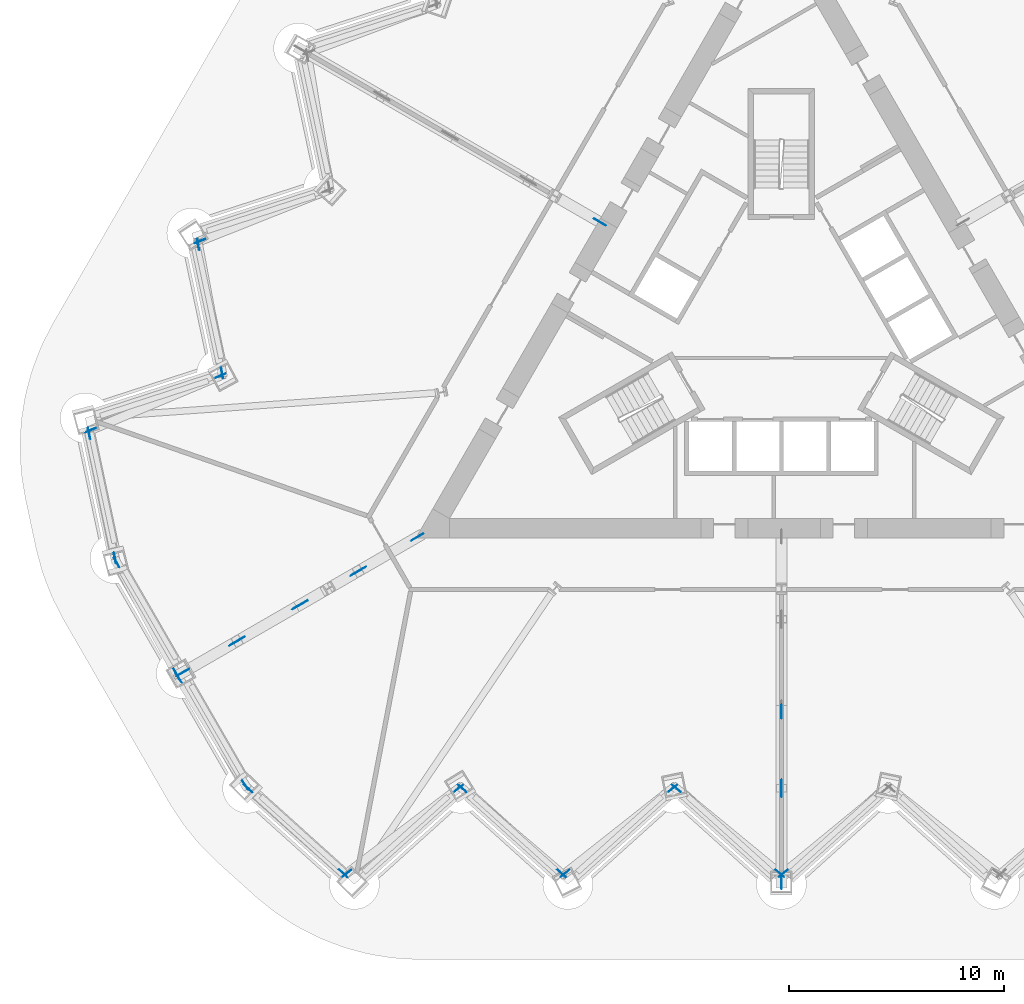
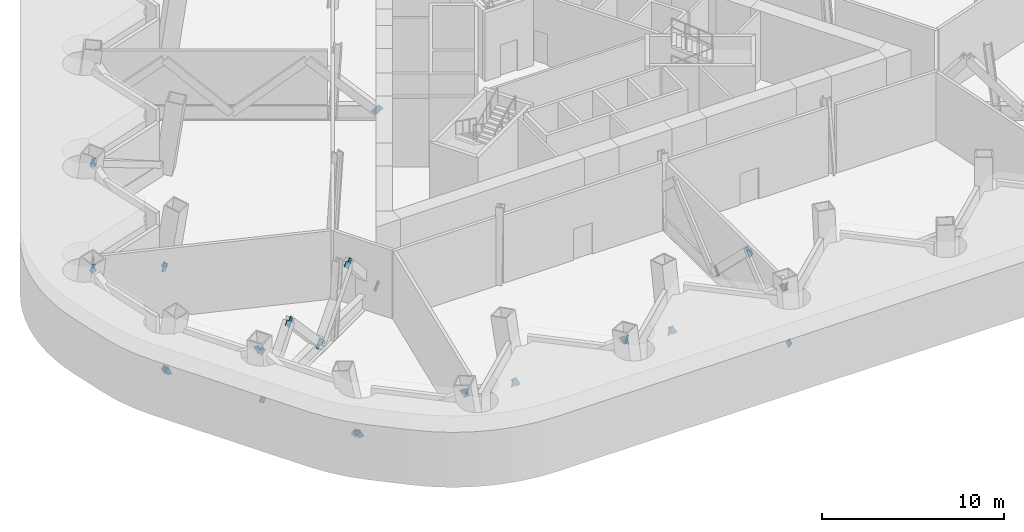
# One storey, part 8 of 14: 35 discrete accessories.
"""IFC4 building model written with IfcOpenShell, lengths in metres."""

from ifc_helpers import new_model, si_unit, direction, frame, origin, origin_2d, place, context, subcontext, project, spatial, rectangle, extrude, material, material_profile, profile_set, type_object, element, save


model = new_model("IFC4")

# Units and contexts
model_context = context("Model", 3, precision=1e-05, world=origin(), true_north=direction((0.0, 1.0)))
body_context = subcontext(model_context, "Body", "Model", "MODEL_VIEW")
ifc_project = project(units=[si_unit("LENGTHUNIT", "METRE"), si_unit("AREAUNIT", "SQUARE_METRE"), si_unit("VOLUMEUNIT", "CUBIC_METRE"), si_unit("PLANEANGLEUNIT", "RADIAN"), si_unit("MASSUNIT", "GRAM", prefix="KILO")], contexts=[model_context])

# Site, building, storey
site_placement = place(None, origin())
site = spatial("IfcSite", under=ifc_project, at=site_placement, CompositionType="ELEMENT")
building_placement = place(site_placement, origin())
building = spatial("IfcBuilding", under=site, at=building_placement, Name="Cormorant Prow Tower", CompositionType="ELEMENT")
storey_placement = place(building_placement, frame((0.0, 0.0, 94.60009765625)))
storey = spatial("IfcBuildingStorey", under=building, at=storey_placement, Name="L19", CompositionType="ELEMENT", Elevation=94.60009765625)

# Discrete accessories
ifc_material_1 = material(Name="Structural steel ASTM A500 Gr C", Category="steel")
ifc_material_profile_1 = material_profile(ifc_material_1, rectangle(XDim=0.031982421875, YDim=0.506103515625, at=origin_2d()), Name="Gusset plate 32x506")
ifc_profile_set_1 = profile_set([ifc_material_profile_1], Name="Structural steel ASTM A500 Gr C")
discrete_accessory_type_1 = type_object("IfcDiscreteAccessoryType", Name="Gusset plate 32x506", PredefinedType="BRACKET", material=ifc_profile_set_1)
discrete_accessory_1_placement = place(storey_placement, frame((-24.698974609375, -21.572265625, 0.604736328125), z_axis=(-0.638862145068, 0.570512264919, -0.516111339902), x_axis=(-0.666080493051, -0.745879867524, 0.0)))
element("IfcDiscreteAccessory", 1, at=discrete_accessory_1_placement, inside=storey, type_object=discrete_accessory_type_1, Name="Gusset plate GP2 L19.S00.g0", PredefinedType="BRACKET", context=body_context, shape_type="SweptSolid", body=[
    extrude(rectangle(XDim=0.031982421875, YDim=0.506103515625, at=origin_2d()), origin(), (0.0, 0.0, 1.0), 0.35009765625),
])
discrete_accessory_2_placement = place(storey_placement, frame((-20.50048828125, -25.318603515625, 3.9951171875), z_axis=(0.639116346169, -0.570041544563, 0.51631669887), x_axis=(0.665627110774, 0.74628449629, 0.0)))
element("IfcDiscreteAccessory", 2, at=discrete_accessory_2_placement, inside=storey, type_object=discrete_accessory_type_1, Name="Gusset plate GP2 L19.S00.g1", PredefinedType="BRACKET", context=body_context, shape_type="SweptSolid", body=[
    extrude(rectangle(XDim=0.031982421875, YDim=0.506103515625, at=origin_2d()), origin(), (0.0, 0.0, 1.0), 0.349853515625),
])
discrete_accessory_3_placement = place(storey_placement, frame((-15.143798828125, -21.560546875, 0.593994140625), z_axis=(0.69787605641, 0.53125030468, -0.48035624662), x_axis=(-0.605707869726, 0.795687109706, 0.0)))
element("IfcDiscreteAccessory", 3, at=discrete_accessory_3_placement, inside=storey, type_object=discrete_accessory_type_1, Name="Gusset plate GP2 L19.S01.g0", PredefinedType="BRACKET", context=body_context, shape_type="SweptSolid", body=[
    extrude(rectangle(XDim=0.031982421875, YDim=0.506103515625, at=origin_2d()), origin(), (0.0, 0.0, 1.0), 0.35009765625),
])
discrete_accessory_4_placement = place(storey_placement, frame((-20.099365234375, -25.330322265625, 4.005859375), z_axis=(-0.698010764156, -0.531186191523, 0.480231405739), x_axis=(0.605587569691, -0.795778672393, 0.0)))
element("IfcDiscreteAccessory", 4, at=discrete_accessory_4_placement, inside=storey, type_object=discrete_accessory_type_1, Name="Gusset plate GP2 L19.S01.g1", PredefinedType="BRACKET", context=body_context, shape_type="SweptSolid", body=[
    extrude(rectangle(XDim=0.031982421875, YDim=0.506103515625, at=origin_2d()), origin(), (0.0, 0.0, 1.0), 0.349853515625),
])
for number, where, z_axis, x_axis, name in (
    (5, (-14.73779296875, -21.5693359375, 0.60205078125), (-0.654762363938, 0.560627199794, -0.506935291356), (-0.650391569401, -0.759599109039, 0.0), "Gusset plate GP2 L19.S02.g0"),
    (6, (-10.350830078125, -25.321533203125, 3.997802734375), (0.655018317052, -0.560148784444, 0.507133457398), (0.649924447193, 0.759998824302, 0.0), "Gusset plate GP2 L19.S02.g1"),
):
    element("IfcDiscreteAccessory", number, at=place(storey_placement, frame(where, z_axis=z_axis, x_axis=x_axis)), inside=storey, type_object=discrete_accessory_type_1, Name=name, PredefinedType="BRACKET", context=body_context, shape_type="SweptSolid", body=[
        extrude(rectangle(XDim=0.031982421875, YDim=0.506103515625, at=origin_2d()), origin(), (0.0, 0.0, 1.0), 0.35009765625),
    ])
for number, where, z_axis, x_axis, name in (
    (7, (-5.183349609375, -21.563232421875, 0.5966796875), (0.684428173387, 0.540705233817, -0.48907660504), (-0.619903600088, 0.784677976369, 0.0), "Gusset plate GP2 L19.S03.g0"),
    (8, (-9.948974609375, -25.327392578125, 4.003173828125), (-0.684428173387, -0.540705233817, 0.48907660504), (0.619903600088, -0.784677976369, 0.0), "Gusset plate GP2 L19.S03.g1"),
):
    element("IfcDiscreteAccessory", number, at=place(storey_placement, frame(where, z_axis=z_axis, x_axis=x_axis)), inside=storey, type_object=discrete_accessory_type_1, Name=name, PredefinedType="BRACKET", context=body_context, shape_type="SweptSolid", body=[
        extrude(rectangle(XDim=0.031982421875, YDim=0.506103515625, at=origin_2d()), origin(), (0.0, 0.0, 1.0), 0.349853515625),
    ])
discrete_accessory_5_placement = place(storey_placement, frame((-4.777099609375, -21.566162109375, 0.599365234375), z_axis=(-0.670237839428, 0.55027851749, -0.497970673623), x_axis=(-0.63455074639, -0.77288120061, 0.0)))
element("IfcDiscreteAccessory", 9, at=discrete_accessory_5_placement, inside=storey, type_object=discrete_accessory_type_1, Name="Gusset plate GP2 L19.S04.g0", PredefinedType="BRACKET", context=body_context, shape_type="SweptSolid", body=[
    extrude(rectangle(XDim=0.031982421875, YDim=0.506103515625, at=origin_2d()), origin(), (0.0, 0.0, 1.0), 0.35009765625),
])
for number, where, z_axis, x_axis, name in (
    (10, (-0.200927734375, -25.324462890625, 4.00048828125), (0.669853434245, -0.55053579127, 0.498203491719), (0.634945337584, 0.772557064741, 0.0), "Gusset plate GP2 L19.S04.g1"),
    (11, (0.200927734375, -25.324462890625, 4.00048828125), (-0.669853434245, -0.55053579127, 0.498203491719), (0.634945337584, -0.772557064741, 0.0), "Gusset plate GP2 L19.S05.g1"),
):
    element("IfcDiscreteAccessory", number, at=place(storey_placement, frame(where, z_axis=z_axis, x_axis=x_axis)), inside=storey, type_object=discrete_accessory_type_1, Name=name, PredefinedType="BRACKET", context=body_context, shape_type="SweptSolid", body=[
        extrude(rectangle(XDim=0.031982421875, YDim=0.506103515625, at=origin_2d()), origin(), (0.0, 0.0, 1.0), 0.349853515625),
    ])
for number, where, z_axis, x_axis, name in (
    (12, (-26.90869140625, 4.047607421875, 4.003173828125), (-0.810570531344, -0.322275030534, 0.488993065811), (0.369459572936, -0.929246804657, 0.0), "Gusset plate GP2 L19.WNW06.g1"),
    (13, (-26.04833984375, -1.978759765625, 0.60205078125), (0.157621276203, -0.847388719408, -0.507038353094), (0.983136816535, 0.182871539537, 0.0), "Gusset plate GP2 L19.WNW07.g0"),
):
    element("IfcDiscreteAccessory", number, at=place(storey_placement, frame(where, z_axis=z_axis, x_axis=x_axis)), inside=storey, type_object=discrete_accessory_type_1, Name=name, PredefinedType="BRACKET", context=body_context, shape_type="SweptSolid", body=[
        extrude(rectangle(XDim=0.031982421875, YDim=0.506103515625, at=origin_2d()), origin(), (0.0, 0.0, 1.0), 0.35009765625),
    ])
for number, where, z_axis, x_axis, name in (
    (14, (-27.1044921875, 3.69677734375, 3.997802734375), (-0.15771447498, 0.847191914271, 0.507338156239), (-0.983109724078, -0.183017131501, 0.0), "Gusset plate GP2 L19.WNW07.g1"),
    (15, (-26.24365234375, -2.334716796875, 0.593994140625), (0.808653154313, 0.339090106123, -0.480726508474), (-0.386704847506, 0.922203535514, 0.0), "Gusset plate GP2 L19.WNW08.g0"),
):
    element("IfcDiscreteAccessory", number, at=place(storey_placement, frame(where, z_axis=z_axis, x_axis=x_axis)), inside=storey, type_object=discrete_accessory_type_1, Name=name, PredefinedType="BRACKET", context=body_context, shape_type="SweptSolid", body=[
        extrude(rectangle(XDim=0.031982421875, YDim=0.506103515625, at=origin_2d()), origin(), (0.0, 0.0, 1.0), 0.349853515625),
    ])
discrete_accessory_6_placement = place(storey_placement, frame((-31.986328125, -4.741455078125, 4.005859375), z_axis=(-0.809165361101, -0.339012384047, 0.479918765894), x_axis=(0.386421278241, -0.922322392509, 0.0)))
element("IfcDiscreteAccessory", 16, at=discrete_accessory_6_placement, inside=storey, type_object=discrete_accessory_type_1, Name="Gusset plate GP2 L19.WNW08.g1", PredefinedType="BRACKET", context=body_context, shape_type="SweptSolid", body=[
    extrude(rectangle(XDim=0.031982421875, YDim=0.506103515625, at=origin_2d()), origin(), (0.0, 0.0, 1.0), 0.35009765625),
])
discrete_accessory_7_placement = place(storey_placement, frame((-31.031494140625, -10.603759765625, 0.604736328125), z_axis=(0.174399100207, -0.838510873795, -0.516221336613), x_axis=(0.979048129091, 0.203628978596, 0.0)))
element("IfcDiscreteAccessory", 17, at=discrete_accessory_7_placement, inside=storey, type_object=discrete_accessory_type_1, Name="Gusset plate GP2 L19.WNW09.g0", PredefinedType="BRACKET", context=body_context, shape_type="SweptSolid", body=[
    extrude(rectangle(XDim=0.031982421875, YDim=0.506103515625, at=origin_2d()), origin(), (0.0, 0.0, 1.0), 0.349853515625),
])
discrete_accessory_8_placement = place(storey_placement, frame((-32.1767578125, -5.0947265625, 3.9951171875), z_axis=(-0.17429713388, 0.838717808228, 0.515919516283), x_axis=(-0.979081862441, -0.203466721206, 0.0)))
element("IfcDiscreteAccessory", 18, at=discrete_accessory_8_placement, inside=storey, type_object=discrete_accessory_type_1, Name="Gusset plate GP2 L19.WNW09.g1", PredefinedType="BRACKET", context=body_context, shape_type="SweptSolid", body=[
    extrude(rectangle(XDim=0.031982421875, YDim=0.506103515625, at=origin_2d()), origin(), (0.0, 0.0, 1.0), 0.35009765625),
])
discrete_accessory_9_placement = place(storey_placement, frame((-30.85791015625, -11.081298828125, 0.605712890625), z_axis=(-0.404318649577, 0.752869209558, -0.519340334371), x_axis=(-0.880994429299, -0.473126637957, 0.0)))
element("IfcDiscreteAccessory", 19, at=discrete_accessory_9_placement, inside=storey, type_object=discrete_accessory_type_1, Name="Gusset plate GP2 L19.WSW00.g0", PredefinedType="BRACKET", context=body_context, shape_type="SweptSolid", body=[
    extrude(rectangle(XDim=0.031982421875, YDim=0.506103515625, at=origin_2d()), origin(), (0.0, 0.0, 1.0), 0.350341796875),
])
discrete_accessory_10_placement = place(storey_placement, frame((-28.218505859375, -15.99609375, 3.994140625), z_axis=(0.404677503798, -0.752839701031, 0.519103556596), x_axis=(0.880811630838, 0.473466863657, 0.0)))
element("IfcDiscreteAccessory", 20, at=discrete_accessory_10_placement, inside=storey, type_object=discrete_accessory_type_1, Name="Gusset plate GP2 L19.WSW00.g1", PredefinedType="BRACKET", context=body_context, shape_type="SweptSolid", body=[
    extrude(rectangle(XDim=0.031982421875, YDim=0.506103515625, at=origin_2d()), origin(), (0.0, 0.0, 1.0), 0.349853515625),
])
for number, where, z_axis, x_axis, name in (
    (21, (-25.025634765625, -21.18310546875, 0.605712890625), (0.449740713724, -0.726557866202, -0.519467956162), (0.850282536603, 0.526326522178, 0.0), "Gusset plate GP2 L19.WSW01.g0"),
    (22, (-27.962158203125, -16.43994140625, 3.994140625), (-0.449903593726, 0.726820999477, 0.518958563926), (-0.850282536603, -0.526326522178, 0.0), "Gusset plate GP2 L19.WSW01.g1"),
):
    element("IfcDiscreteAccessory", number, at=place(storey_placement, frame(where, z_axis=z_axis, x_axis=x_axis)), inside=storey, type_object=discrete_accessory_type_1, Name=name, PredefinedType="BRACKET", context=body_context, shape_type="SweptSolid", body=[
        extrude(rectangle(XDim=0.031982421875, YDim=0.506103515625, at=origin_2d()), origin(), (0.0, 0.0, 1.0), 0.35009765625),
    ])
ifc_material_2 = material(Name="Structural steel ASTM A500 Gr C", Category="steel")
ifc_material_profile_2 = material_profile(ifc_material_2, rectangle(XDim=0.031982421875, YDim=0.60791015625, at=origin_2d()), Name="Gusset plate 32x608")
ifc_profile_set_2 = profile_set([ifc_material_profile_2], Name="Structural steel ASTM A500 Gr C")
discrete_accessory_type_2 = type_object("IfcDiscreteAccessoryType", Name="Gusset plate 32x608", PredefinedType="BRACKET", material=ifc_profile_set_2)
for number, where, z_axis, x_axis, name in (
    (23, (-8.561767578125, 4.943115234375, 0.70263671875), (0.638840237342, -0.368937211304, -0.675106277017), (0.500104332946, 0.86596515875, 0.0), "Gusset plate GP1 L19.03.1.g0"),
    (24, (-17.044189453125, -9.840576171875, 0.72265625), (0.580290506177, 0.335480448884, -0.742102281938), (-0.500502949238, 0.865734831114, 0.0), "Gusset plate GP1 L19.05.1.g0"),
):
    element("IfcDiscreteAccessory", number, at=place(storey_placement, frame(where, z_axis=z_axis, x_axis=x_axis)), inside=storey, type_object=discrete_accessory_type_2, Name=name, PredefinedType="BRACKET", context=body_context, shape_type="SweptSolid", body=[
        extrude(rectangle(XDim=0.031982421875, YDim=0.60791015625, at=origin_2d()), origin(), (0.0, 0.0, 1.0), 0.35009765625),
    ])
for number, where, z_axis, x_axis, name in (
    (25, (-19.511962890625, -11.265380859375, 3.877197265625), (-0.580426192301, -0.334861264789, 0.742275803616), (0.49972245349, -0.866185586049, 0.0), "Gusset plate GP1 L19.05.1.g1"),
    (26, (-19.8564453125, -11.464111328125, 3.873291015625), (0.567938000706, 0.327924889842, 0.754924959169), (-0.500029427677, 0.866008413041, 0.0), "Gusset plate GP1 L19.05.2.g0"),
    (27, (-22.22216796875, -12.830078125, 0.7265625), (-0.567938000706, -0.327924889842, -0.754924959169), (0.500029427677, -0.866008413041, 0.0), "Gusset plate GP1 L19.05.2.g1"),
    (28, (-22.5703125, -13.031005859375, 0.71875), (0.592544597385, 0.341986870104, -0.729339345426), (-0.499869636591, 0.866100656052, 0.0), "Gusset plate GP1 L19.05.3.g0"),
):
    element("IfcDiscreteAccessory", number, at=place(storey_placement, frame(where, z_axis=z_axis, x_axis=x_axis)), inside=storey, type_object=discrete_accessory_type_2, Name=name, PredefinedType="BRACKET", context=body_context, shape_type="SweptSolid", body=[
        extrude(rectangle(XDim=0.031982421875, YDim=0.60791015625, at=origin_2d()), origin(), (0.0, 0.0, 1.0), 0.349853515625),
    ])
for number, where, z_axis, x_axis, name in (
    (29, (-25.140625, -14.514892578125, 3.881103515625), (-0.592855683139, -0.342461341672, 0.728863751623), (0.500192733363, -0.865914100527, 0.0), "Gusset plate GP1 L19.05.3.g1"),
    (30, (-25.484619140625, -14.713623046875, 3.869140625), (0.553808405979, 0.320148688091, 0.768635848097), (-0.500477410743, 0.865749595054, 0.0), "Gusset plate GP1 L19.05.4.g0"),
):
    element("IfcDiscreteAccessory", number, at=place(storey_placement, frame(where, z_axis=z_axis, x_axis=x_axis)), inside=storey, type_object=discrete_accessory_type_2, Name=name, PredefinedType="BRACKET", context=body_context, shape_type="SweptSolid", body=[
        extrude(rectangle(XDim=0.031982421875, YDim=0.60791015625, at=origin_2d()), origin(), (0.0, 0.0, 1.0), 0.35009765625),
    ])
for number, where, z_axis, x_axis, name in (
    (31, (-27.748779296875, -16.020751953125, 0.73046875), (-0.55458873383, -0.320196514249, -0.768053076663), (0.500005339912, -0.866022320763, 0.0), "Gusset plate GP1 L19.05.4.g1"),
    (32, (0.0, -18.01220703125, 0.710205078125), (0.0, 0.713703464204, -0.700447974644), (-1.0, 0.0, 0.0), "Gusset plate GP1 L19.07.3.g0"),
    (33, (0.0, -21.25146484375, 3.8896484375), (0.0, -0.713703464204, 0.700447974644), (1.0, 0.0, 0.0), "Gusset plate GP1 L19.07.3.g1"),
):
    element("IfcDiscreteAccessory", number, at=place(storey_placement, frame(where, z_axis=z_axis, x_axis=x_axis)), inside=storey, type_object=discrete_accessory_type_2, Name=name, PredefinedType="BRACKET", context=body_context, shape_type="SweptSolid", body=[
        extrude(rectangle(XDim=0.031982421875, YDim=0.60791015625, at=origin_2d()), origin(), (0.0, 0.0, 1.0), 0.349853515625),
    ])
discrete_accessory_11_placement = place(storey_placement, frame((0.0, -21.69921875, 3.911376953125), z_axis=(0.0, 0.778413039475, 0.62775245119), x_axis=(-1.0, 0.0, 0.0)))
element("IfcDiscreteAccessory", 34, at=discrete_accessory_11_placement, inside=storey, type_object=discrete_accessory_type_2, Name="Gusset plate GP1 L19.07.4.g0", PredefinedType="BRACKET", context=body_context, shape_type="SweptSolid", body=[
    extrude(rectangle(XDim=0.031982421875, YDim=0.60791015625, at=origin_2d()), origin(), (0.0, 0.0, 1.0), 0.35009765625),
])
discrete_accessory_12_placement = place(storey_placement, frame((0.0, -25.69775390625, 0.688232421875), z_axis=(0.0, -0.778753909083, -0.627329537873), x_axis=(1.0, 0.0, 0.0)))
element("IfcDiscreteAccessory", 35, at=discrete_accessory_12_placement, inside=storey, type_object=discrete_accessory_type_2, Name="Gusset plate GP1 L19.07.4.g1", PredefinedType="BRACKET", context=body_context, shape_type="SweptSolid", body=[
    extrude(rectangle(XDim=0.031982421875, YDim=0.60791015625, at=origin_2d()), origin(), (0.0, 0.0, 1.0), 0.349853515625),
])

save(model, "model.ifc")
